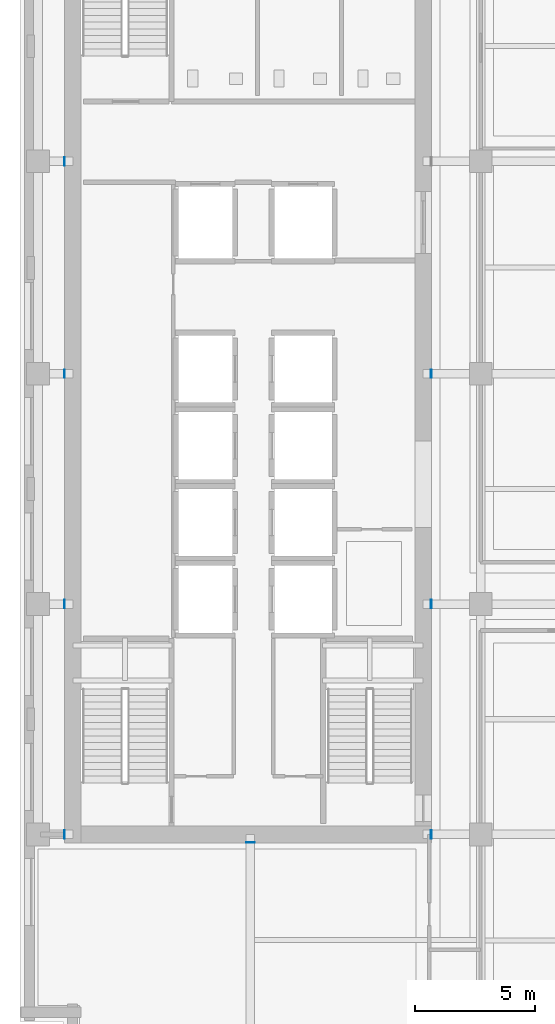
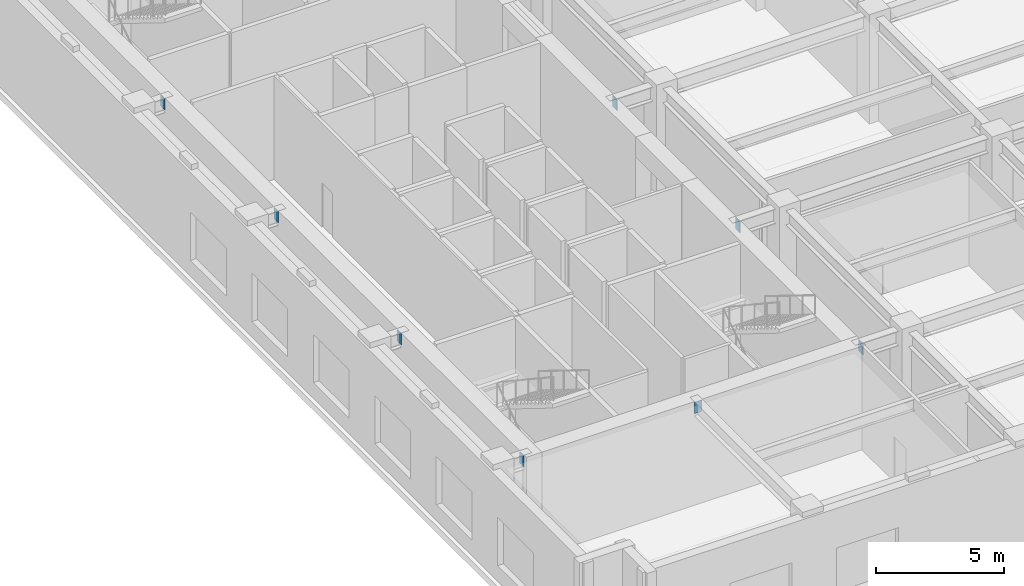
# One storey, part 8 of 18: 8 discrete accessories.
"""IFC4 building model written with IfcOpenShell, lengths in metres."""

from ifc_helpers import new_model, si_unit, direction, frame, origin, origin_2d, place, context, subcontext, project, spatial, rectangle, extrude, material, layer, layer_set, type_object, element, save


model = new_model("IFC4")

# Units and contexts
model_context = context("Model", 3, precision=1e-05, world=origin(), true_north=direction((0.0, 1.0)))
body_context = subcontext(model_context, "Body", "Model", "MODEL_VIEW")
ifc_project = project(units=[si_unit("LENGTHUNIT", "METRE"), si_unit("AREAUNIT", "SQUARE_METRE"), si_unit("VOLUMEUNIT", "CUBIC_METRE"), si_unit("PLANEANGLEUNIT", "RADIAN"), si_unit("MASSUNIT", "GRAM", prefix="KILO")], contexts=[model_context])

# Site, building, storey
site_placement = place(None, origin())
site = spatial("IfcSite", under=ifc_project, at=site_placement, CompositionType="ELEMENT")
building_placement = place(site_placement, origin())
building = spatial("IfcBuilding", under=site, at=building_placement, Name="Norrvale University Quadrangle", CompositionType="ELEMENT")
storey_placement = place(building_placement, frame((0.0, 0.0, 150.800048828125)))
storey = spatial("IfcBuildingStorey", under=building, at=storey_placement, Name="L38", CompositionType="ELEMENT", Elevation=150.800048828125)

# Discrete accessories
ifc_material = material(Name="Steel 350W", Category="steel")
ifc_layer = layer(ifc_material, 0.02490234375, Name="Steel 350W")
ifc_layer_set = layer_set([ifc_layer], Name="Steel 350W")
discrete_accessory_type = type_object("IfcDiscreteAccessoryType", Name="Accessory Cast In Embed Plate", PredefinedType="ANCHORPLATE", material=ifc_layer_set)
for number, where, z_axis, x_axis, name in (
    (1, (1.862548828125, 9.60009765625, 4.35986328125), (0.0, 0.0, 1.0), (1.0, 0.0, 0.0), "Core Wall Cast-in Embed Plate L38-GCW060"),
    (2, (17.137451171875, 9.60009765625, 4.35986328125), (0.0, 0.0, 1.0), (1.0, 0.0, 0.0), "Core Wall Cast-in Embed Plate L38-GCE061"),
    (3, (1.862548828125, 19.199951171875, 4.35986328125), (0.0, 0.0, 1.0), (1.0, 0.0, 0.0), "Core Wall Cast-in Embed Plate L38-GCW062"),
    (4, (17.137451171875, 19.199951171875, 4.35986328125), (0.0, 0.0, 1.0), (1.0, 0.0, 0.0), "Core Wall Cast-in Embed Plate L38-GCE063"),
    (5, (1.862548828125, 28.800048828125, 4.35986328125), (0.0, 0.0, 1.0), (1.0, 0.0, 0.0), "Core Wall Cast-in Embed Plate L38-GCW064"),
    (6, (17.137451171875, 28.800048828125, 4.35986328125), (0.0, 0.0, 1.0), (1.0, 0.0, 0.0), "Core Wall Cast-in Embed Plate L38-GCE065"),
    (7, (1.862548828125, 37.64990234375, 4.35986328125), (0.0, 0.0, 1.0), (1.0, 0.0, 0.0), "Core Wall Cast-in Embed Plate L38-GCW066"),
):
    element("IfcDiscreteAccessory", number, at=place(storey_placement, frame(where, z_axis=z_axis, x_axis=x_axis)), inside=storey, type_object=discrete_accessory_type, Name=name, PredefinedType="ANCHORPLATE", context=body_context, shape_type="SweptSolid", body=[
        extrude(rectangle(XDim=0.02490234375, YDim=0.35009765625, at=origin_2d()), origin(), (0.0, 0.0, 1.0), 0.5400390625),
    ])
discrete_accessory_placement = place(storey_placement, frame((9.60009765625, 9.262451171875, 4.35986328125), z_axis=(0.0, 0.0, 1.0), x_axis=(1.0, 0.0, 0.0)))
element("IfcDiscreteAccessory", 8, at=discrete_accessory_placement, inside=storey, type_object=discrete_accessory_type, Name="Core Wall Cast-in Embed Plate L38-GCS089", PredefinedType="ANCHORPLATE", context=body_context, shape_type="SweptSolid", body=[
    extrude(rectangle(XDim=0.35009765625, YDim=0.02490234375, at=origin_2d()), origin(), (0.0, 0.0, 1.0), 0.5400390625),
])

save(model, "model.ifc")
